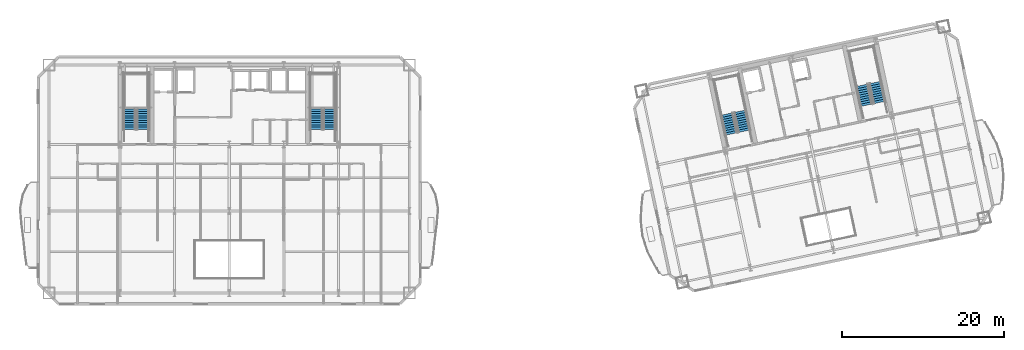
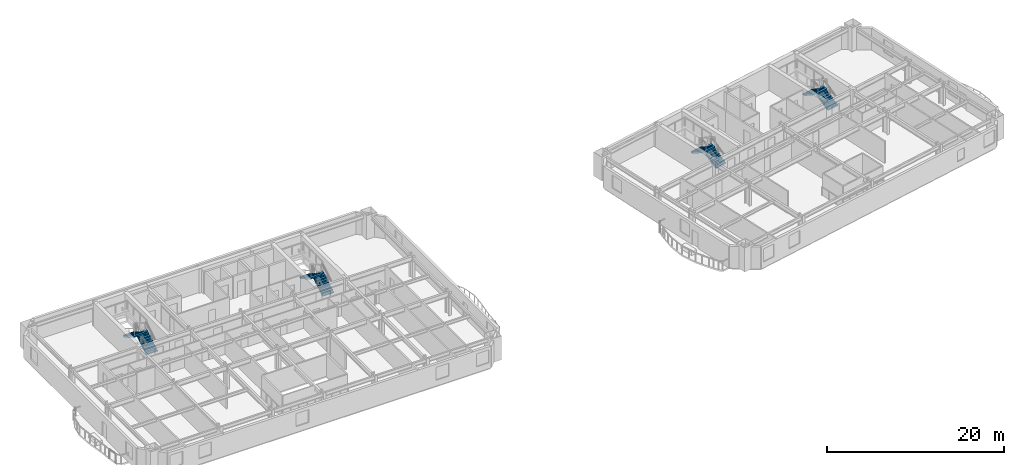
# One storey, part 10 of 14: 8 stair flights, 4 elements without a shape of their own.
"""IFC4 building model written with IfcOpenShell, lengths in metres."""

from ifc_helpers import new_model, si_unit, direction, frame, origin, place, context, subcontext, project, spatial, polyline, outline, extrude, material, type_object, element, aggregate, save


model = new_model("IFC4")

# Units and contexts
model_context = context("Model", 3, precision=1e-05, world=origin(), true_north=direction((0.0, 1.0)))
body_context = subcontext(model_context, "Body", "Model", "MODEL_VIEW")
ifc_project = project(units=[si_unit("LENGTHUNIT", "METRE"), si_unit("AREAUNIT", "SQUARE_METRE"), si_unit("VOLUMEUNIT", "CUBIC_METRE"), si_unit("PLANEANGLEUNIT", "RADIAN"), si_unit("MASSUNIT", "GRAM", prefix="KILO")], contexts=[model_context])

# Site, building, storey
site_placement = place(None, origin())
site = spatial("IfcSite", under=ifc_project, at=site_placement, CompositionType="ELEMENT")
building_placement = place(site_placement, origin())
building = spatial("IfcBuilding", under=site, at=building_placement, Name="Haevon Station Towers", CompositionType="ELEMENT")
storey_placement = place(building_placement, frame((0.0, 0.0, 106.5)))
storey = spatial("IfcBuildingStorey", under=building, at=storey_placement, Name="L28", CompositionType="ELEMENT", Elevation=106.5)

# Stair, stair flights
ifc_material = material(Name="Concrete C40/50", Category="concrete")
stair_type = type_object("IfcStairType", Name="STR-DL1450", PredefinedType="USERDEFINED", material=ifc_material)
stair_1_placement = place(storey_placement, origin())
stair_1 = element("IfcStair", 1, at=stair_1_placement, inside=storey, type_object=stair_type, Name="L28 Escape Stair ST1", ObjectType="TWO_RETURN_STAIR", PredefinedType="USERDEFINED")
stair_flight_type = type_object("IfcStairFlightType", Name="STF-ST1450", PredefinedType="STRAIGHT", material=ifc_material)
stair_flight_1_placement = place(storey_placement, frame((26.85498046875, 40.050048828125, 0.0), z_axis=(0.0, 0.0, 1.0), x_axis=(0.0, 1.0, 0.0)))
stair_flight_1 = element("IfcStairFlight", 2, at=stair_flight_1_placement, type_object=stair_flight_type, Name="L28 ST1 Flight 1", NumberOfRisers=10, NumberOfTreads=9, PredefinedType="STRAIGHT", RiserHeight=0.165, TreadLength=0.28, context=body_context, shape_type="SweptSolid", body=[
    extrude(outline(polyline([(0.0, 0.0), (0.0, 0.1650390625), (0.280029296875, 0.1650390625), (0.280029296875, 0.330078125), (0.56005859375, 0.330078125), (0.56005859375, 0.4951171875), (0.840087890625, 0.4951171875), (0.840087890625, 0.659912109375), (1.1201171875, 0.659912109375), (1.1201171875, 0.824951171875), (1.39990234375, 0.824951171875), (1.39990234375, 0.989990234375), (1.679931640625, 0.989990234375), (1.679931640625, 1.155029296875), (1.9599609375, 1.155029296875), (1.9599609375, 1.320068359375), (2.239990234375, 1.320068359375), (2.239990234375, 1.485107421875), (2.52001953125, 1.485107421875), (2.52001953125, 1.64990234375), (2.52001953125, 1.29931640625), (0.31494140625, 0.0), (0.0, 0.0)])), frame((0.0, 0.72509765625, 0.0), z_axis=(0.0, -1.0, 0.0), x_axis=(1.0, 0.0, 0.0)), (0.0, 0.0, 1.0), 1.449951171875),
])
stair_flight_2_placement = place(storey_placement, frame((25.205078125, 42.570068359375, 1.64990234375), z_axis=(0.0, 0.0, 1.0), x_axis=(0.0, -1.0, 0.0)))
stair_flight_2 = element("IfcStairFlight", 3, at=stair_flight_2_placement, type_object=stair_flight_type, Name="L28 ST1 Flight 2", NumberOfRisers=10, NumberOfTreads=9, PredefinedType="STRAIGHT", RiserHeight=0.165, TreadLength=0.28, context=body_context, shape_type="SweptSolid", body=[
    extrude(outline(polyline([(0.0, 0.0), (0.0, 0.1650390625), (0.280029296875, 0.1650390625), (0.280029296875, 0.330078125), (0.56005859375, 0.330078125), (0.56005859375, 0.4951171875), (0.840087890625, 0.4951171875), (0.840087890625, 0.659912109375), (1.1201171875, 0.659912109375), (1.1201171875, 0.824951171875), (1.39990234375, 0.824951171875), (1.39990234375, 0.989990234375), (1.679931640625, 0.989990234375), (1.679931640625, 1.155029296875), (1.9599609375, 1.155029296875), (1.9599609375, 1.320068359375), (2.239990234375, 1.320068359375), (2.239990234375, 1.485107421875), (2.52001953125, 1.485107421875), (2.52001953125, 1.64990234375), (2.52001953125, 1.29931640625), (0.31494140625, 0.0), (0.0, 0.0)])), frame((0.0, 0.72509765625, 0.0), z_axis=(0.0, -1.0, 0.0), x_axis=(1.0, 0.0, 0.0)), (0.0, 0.0, 1.0), 1.449951171875),
])
aggregate(stair_1, [stair_flight_1, stair_flight_2])

stair_2_placement = place(storey_placement, origin())
stair_2 = element("IfcStair", 4, at=stair_2_placement, inside=storey, type_object=stair_type, Name="L28 Escape Stair ST2", ObjectType="TWO_RETURN_STAIR", PredefinedType="USERDEFINED")
stair_flight_3_placement = place(storey_placement, frame((49.89501953125, 40.050048828125, 0.0), z_axis=(0.0, 0.0, 1.0), x_axis=(0.0, 1.0, 0.0)))
stair_flight_3 = element("IfcStairFlight", 5, at=stair_flight_3_placement, type_object=stair_flight_type, Name="L28 ST2 Flight 1", NumberOfRisers=10, NumberOfTreads=9, PredefinedType="STRAIGHT", RiserHeight=0.165, TreadLength=0.28, context=body_context, shape_type="SweptSolid", body=[
    extrude(outline(polyline([(0.0, 0.0), (0.0, 0.1650390625), (0.280029296875, 0.1650390625), (0.280029296875, 0.330078125), (0.56005859375, 0.330078125), (0.56005859375, 0.4951171875), (0.840087890625, 0.4951171875), (0.840087890625, 0.659912109375), (1.1201171875, 0.659912109375), (1.1201171875, 0.824951171875), (1.39990234375, 0.824951171875), (1.39990234375, 0.989990234375), (1.679931640625, 0.989990234375), (1.679931640625, 1.155029296875), (1.9599609375, 1.155029296875), (1.9599609375, 1.320068359375), (2.239990234375, 1.320068359375), (2.239990234375, 1.485107421875), (2.52001953125, 1.485107421875), (2.52001953125, 1.64990234375), (2.52001953125, 1.29931640625), (0.31494140625, 0.0), (0.0, 0.0)])), frame((0.0, 0.72509765625, 0.0), z_axis=(0.0, -1.0, 0.0), x_axis=(1.0, 0.0, 0.0)), (0.0, 0.0, 1.0), 1.449951171875),
])
stair_flight_4_placement = place(storey_placement, frame((48.2451171875, 42.570068359375, 1.64990234375), z_axis=(0.0, 0.0, 1.0), x_axis=(0.0, -1.0, 0.0)))
stair_flight_4 = element("IfcStairFlight", 6, at=stair_flight_4_placement, type_object=stair_flight_type, Name="L28 ST2 Flight 2", NumberOfRisers=10, NumberOfTreads=9, PredefinedType="STRAIGHT", RiserHeight=0.165, TreadLength=0.28, context=body_context, shape_type="SweptSolid", body=[
    extrude(outline(polyline([(0.0, 0.0), (0.0, 0.1650390625), (0.280029296875, 0.1650390625), (0.280029296875, 0.330078125), (0.56005859375, 0.330078125), (0.56005859375, 0.4951171875), (0.840087890625, 0.4951171875), (0.840087890625, 0.659912109375), (1.1201171875, 0.659912109375), (1.1201171875, 0.824951171875), (1.39990234375, 0.824951171875), (1.39990234375, 0.989990234375), (1.679931640625, 0.989990234375), (1.679931640625, 1.155029296875), (1.9599609375, 1.155029296875), (1.9599609375, 1.320068359375), (2.239990234375, 1.320068359375), (2.239990234375, 1.485107421875), (2.52001953125, 1.485107421875), (2.52001953125, 1.64990234375), (2.52001953125, 1.29931640625), (0.31494140625, 0.0), (0.0, 0.0)])), frame((0.0, 0.72509765625, 0.0), z_axis=(0.0, -1.0, 0.0), x_axis=(1.0, 0.0, 0.0)), (0.0, 0.0, 1.0), 1.449951171875),
])
aggregate(stair_2, [stair_flight_3, stair_flight_4])

stair_3_placement = place(storey_placement, origin())
stair_3 = element("IfcStair", 7, at=stair_3_placement, inside=storey, type_object=stair_type, Name="L28 Escape Stair ST3", ObjectType="TWO_RETURN_STAIR", PredefinedType="USERDEFINED")
stair_flight_5_placement = place(storey_placement, frame((101.1015625, 39.8330078125, 0.0), z_axis=(0.0, 0.0, 1.0), x_axis=(-0.207911690818, 0.978147600734, 0.0)))
stair_flight_5 = element("IfcStairFlight", 8, at=stair_flight_5_placement, type_object=stair_flight_type, Name="L28 ST3 Flight 1", NumberOfRisers=10, NumberOfTreads=9, PredefinedType="STRAIGHT", RiserHeight=0.165, TreadLength=0.28, context=body_context, shape_type="SweptSolid", body=[
    extrude(outline(polyline([(0.0, 0.0), (0.0, 0.1650390625), (0.280029296875, 0.1650390625), (0.280029296875, 0.330078125), (0.56005859375, 0.330078125), (0.56005859375, 0.4951171875), (0.840087890625, 0.4951171875), (0.840087890625, 0.659912109375), (1.1201171875, 0.659912109375), (1.1201171875, 0.824951171875), (1.39990234375, 0.824951171875), (1.39990234375, 0.989990234375), (1.679931640625, 0.989990234375), (1.679931640625, 1.155029296875), (1.9599609375, 1.155029296875), (1.9599609375, 1.320068359375), (2.239990234375, 1.320068359375), (2.239990234375, 1.485107421875), (2.52001953125, 1.485107421875), (2.52001953125, 1.64990234375), (2.52001953125, 1.29931640625), (0.31494140625, 0.0), (0.0, 0.0)])), frame((0.0, 0.72509765625, 0.0), z_axis=(0.0, -1.0, 0.0), x_axis=(1.0, 0.0, 0.0)), (0.0, 0.0, 1.0), 1.449951171875),
])
stair_flight_6_placement = place(storey_placement, frame((98.9638671875, 41.955078125, 1.64990234375), z_axis=(0.0, 0.0, 1.0), x_axis=(0.207911690818, -0.978147600734, 0.0)))
stair_flight_6 = element("IfcStairFlight", 9, at=stair_flight_6_placement, type_object=stair_flight_type, Name="L28 ST3 Flight 2", NumberOfRisers=10, NumberOfTreads=9, PredefinedType="STRAIGHT", RiserHeight=0.165, TreadLength=0.28, context=body_context, shape_type="SweptSolid", body=[
    extrude(outline(polyline([(0.0, 0.0), (0.0, 0.1650390625), (0.280029296875, 0.1650390625), (0.280029296875, 0.330078125), (0.56005859375, 0.330078125), (0.56005859375, 0.4951171875), (0.840087890625, 0.4951171875), (0.840087890625, 0.659912109375), (1.1201171875, 0.659912109375), (1.1201171875, 0.824951171875), (1.39990234375, 0.824951171875), (1.39990234375, 0.989990234375), (1.679931640625, 0.989990234375), (1.679931640625, 1.155029296875), (1.9599609375, 1.155029296875), (1.9599609375, 1.320068359375), (2.239990234375, 1.320068359375), (2.239990234375, 1.485107421875), (2.52001953125, 1.485107421875), (2.52001953125, 1.64990234375), (2.52001953125, 1.29931640625), (0.31494140625, 0.0), (0.0, 0.0)])), frame((0.0, 0.72509765625, 0.0), z_axis=(0.0, -1.0, 0.0), x_axis=(1.0, 0.0, 0.0)), (0.0, 0.0, 1.0), 1.449951171875),
])
aggregate(stair_3, [stair_flight_5, stair_flight_6])

stair_4_placement = place(storey_placement, origin())
stair_4 = element("IfcStair", 10, at=stair_4_placement, inside=storey, type_object=stair_type, Name="L28 Escape Stair ST4", ObjectType="TWO_RETURN_STAIR", PredefinedType="USERDEFINED")
stair_flight_7_placement = place(storey_placement, frame((117.788818359375, 43.380126953125, 0.0), z_axis=(0.0, 0.0, 1.0), x_axis=(-0.207911690818, 0.978147600734, 0.0)))
stair_flight_7 = element("IfcStairFlight", 11, at=stair_flight_7_placement, type_object=stair_flight_type, Name="L28 ST4 Flight 1", NumberOfRisers=10, NumberOfTreads=9, PredefinedType="STRAIGHT", RiserHeight=0.165, TreadLength=0.28, context=body_context, shape_type="SweptSolid", body=[
    extrude(outline(polyline([(0.0, 0.0), (0.0, 0.1650390625), (0.280029296875, 0.1650390625), (0.280029296875, 0.330078125), (0.56005859375, 0.330078125), (0.56005859375, 0.4951171875), (0.840087890625, 0.4951171875), (0.840087890625, 0.659912109375), (1.1201171875, 0.659912109375), (1.1201171875, 0.824951171875), (1.39990234375, 0.824951171875), (1.39990234375, 0.989990234375), (1.679931640625, 0.989990234375), (1.679931640625, 1.155029296875), (1.9599609375, 1.155029296875), (1.9599609375, 1.320068359375), (2.239990234375, 1.320068359375), (2.239990234375, 1.485107421875), (2.52001953125, 1.485107421875), (2.52001953125, 1.64990234375), (2.52001953125, 1.29931640625), (0.31494140625, 0.0), (0.0, 0.0)])), frame((0.0, 0.72509765625, 0.0), z_axis=(0.0, -1.0, 0.0), x_axis=(1.0, 0.0, 0.0)), (0.0, 0.0, 1.0), 1.449951171875),
])
stair_flight_8_placement = place(storey_placement, frame((115.65087890625, 45.501953125, 1.64990234375), z_axis=(0.0, 0.0, 1.0), x_axis=(0.207911690818, -0.978147600734, 0.0)))
stair_flight_8 = element("IfcStairFlight", 12, at=stair_flight_8_placement, type_object=stair_flight_type, Name="L28 ST4 Flight 2", NumberOfRisers=10, NumberOfTreads=9, PredefinedType="STRAIGHT", RiserHeight=0.165, TreadLength=0.28, context=body_context, shape_type="SweptSolid", body=[
    extrude(outline(polyline([(0.0, 0.0), (0.0, 0.1650390625), (0.280029296875, 0.1650390625), (0.280029296875, 0.330078125), (0.56005859375, 0.330078125), (0.56005859375, 0.4951171875), (0.840087890625, 0.4951171875), (0.840087890625, 0.659912109375), (1.1201171875, 0.659912109375), (1.1201171875, 0.824951171875), (1.39990234375, 0.824951171875), (1.39990234375, 0.989990234375), (1.679931640625, 0.989990234375), (1.679931640625, 1.155029296875), (1.9599609375, 1.155029296875), (1.9599609375, 1.320068359375), (2.239990234375, 1.320068359375), (2.239990234375, 1.485107421875), (2.52001953125, 1.485107421875), (2.52001953125, 1.64990234375), (2.52001953125, 1.29931640625), (0.31494140625, 0.0), (0.0, 0.0)])), frame((0.0, 0.72509765625, 0.0), z_axis=(0.0, -1.0, 0.0), x_axis=(1.0, 0.0, 0.0)), (0.0, 0.0, 1.0), 1.449951171875),
])
aggregate(stair_4, [stair_flight_7, stair_flight_8])

save(model, "model.ifc")
